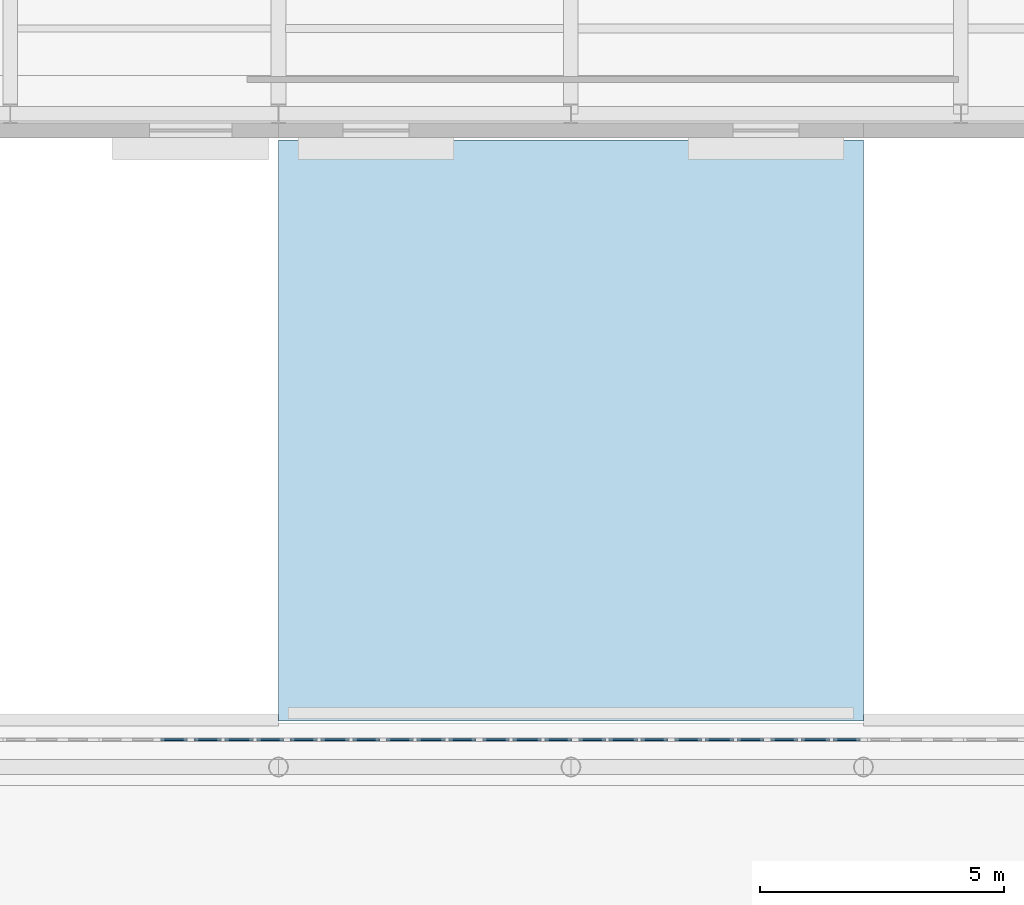
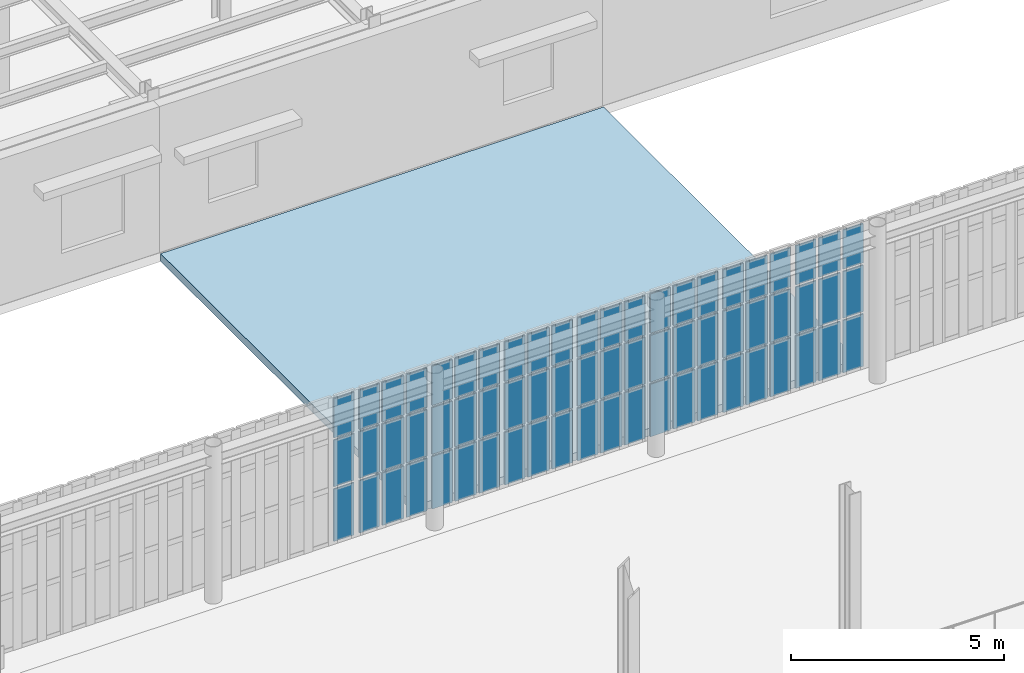
# One storey, part 54 of 91: 66 plates, 1 slab, 8 elements without a shape of their own.
"""IFC4 building model written with IfcOpenShell, lengths in metres."""

from ifc_helpers import new_model, si_unit, direction, frame, origin, origin_2d, place, context, subcontext, project, spatial, polyline, rectangle, outline, extrude, material, layer, layer_set, type_object, element, aggregate, save


model = new_model("IFC4")

# Units and contexts
model_context = context("Model", 3, precision=1e-05, world=origin(), true_north=direction((0.0, 1.0)))
body_context = subcontext(model_context, "Body", "Model", "MODEL_VIEW")
ifc_project = project(units=[si_unit("LENGTHUNIT", "METRE"), si_unit("AREAUNIT", "SQUARE_METRE"), si_unit("VOLUMEUNIT", "CUBIC_METRE"), si_unit("PLANEANGLEUNIT", "RADIAN"), si_unit("MASSUNIT", "GRAM", prefix="KILO")], contexts=[model_context])

# Site, building, storey
site_placement = place(None, origin())
site = spatial("IfcSite", under=ifc_project, at=site_placement, CompositionType="ELEMENT")
building_placement = place(site_placement, origin())
building = spatial("IfcBuilding", under=site, at=building_placement, Name="Kolvaren Corner Interchange", CompositionType="ELEMENT")
storey_placement = place(building_placement, frame((0.0, 0.0, 6.0)))
storey = spatial("IfcBuildingStorey", under=building, at=storey_placement, Name="L02", CompositionType="ELEMENT", Elevation=6.0)

# Curtain wall, plates
ifc_material_1 = material(Name="Unitised Aluminium and Solar-Control Glass Curtain Wall", Category="aluminium")
curtain_wall_type = type_object("IfcCurtainWallType", Name="CW-V1-NORTH", PredefinedType="NOTDEFINED", material=ifc_material_1)
curtain_wall_1_placement = place(storey_placement, origin())
curtain_wall_1 = element("IfcCurtainWall", 1, at=curtain_wall_1_placement, inside=storey, type_object=curtain_wall_type, Name="North Concourse Gallery Curtain Wall Bay 13", PredefinedType="NOTDEFINED")
ifc_material_2 = material(Name="Low-E Solar-Control Laminated Glass", Category="glass")
ifc_layer_1 = layer(ifc_material_2, 0.035888671875)
ifc_layer_set_1 = layer_set([ifc_layer_1], Name="Low-E Solar-Control Laminated Glass")
plate_type = type_object("IfcPlateType", Name="PLT-CW-GL32", PredefinedType="CURTAIN_PANEL", material=ifc_layer_set_1)
plate_1_placement = place(storey_placement, frame((95.654052734375, 71.659912109375, 0.06494140625), z_axis=(0.0, 0.0, 1.0), x_axis=(-1.0, 0.0, 0.0)))
plate_1 = element("IfcPlate", 2, at=plate_1_placement, type_object=plate_type, Name="CW-070 panel 1.1", PredefinedType="CURTAIN_PANEL", context=body_context, shape_type="SweptSolid", body=[
    extrude(rectangle(XDim=0.552001953125, YDim=0.035888671875, at=origin_2d()), origin(), (0.0, 0.0, 1.0), 1.50244140625),
])
plate_2_placement = place(storey_placement, frame((95.654052734375, 71.659912109375, 1.632568359375), z_axis=(0.0, 0.0, 1.0), x_axis=(-1.0, 0.0, 0.0)))
plate_2 = element("IfcPlate", 3, at=plate_2_placement, type_object=plate_type, Name="CW-070 panel 1.2", PredefinedType="CURTAIN_PANEL", context=body_context, shape_type="SweptSolid", body=[
    extrude(rectangle(XDim=0.552001953125, YDim=0.035888671875, at=origin_2d()), origin(), (0.0, 0.0, 1.0), 1.3349609375),
])
plate_3_placement = place(storey_placement, frame((95.654052734375, 71.659912109375, 3.032470703125), z_axis=(0.0, 0.0, 1.0), x_axis=(-1.0, 0.0, 0.0)))
plate_3 = element("IfcPlate", 4, at=plate_3_placement, type_object=plate_type, Name="CW-070 panel 1.3", PredefinedType="CURTAIN_PANEL", context=body_context, shape_type="SweptSolid", body=[
    extrude(rectangle(XDim=0.552001953125, YDim=0.035888671875, at=origin_2d()), origin(), (0.0, 0.0, 1.0), 1.12255859375),
])
plate_4_placement = place(storey_placement, frame((95.0146484375, 71.659912109375, 0.06494140625), z_axis=(0.0, 0.0, 1.0), x_axis=(-1.0, 0.0, 0.0)))
plate_4 = element("IfcPlate", 5, at=plate_4_placement, type_object=plate_type, Name="CW-070 panel 2.1", PredefinedType="CURTAIN_PANEL", context=body_context, shape_type="SweptSolid", body=[
    extrude(rectangle(XDim=0.5869140625, YDim=0.035888671875, at=origin_2d()), origin(), (0.0, 0.0, 1.0), 1.50244140625),
])
plate_5_placement = place(storey_placement, frame((95.0146484375, 71.659912109375, 1.632568359375), z_axis=(0.0, 0.0, 1.0), x_axis=(-1.0, 0.0, 0.0)))
plate_5 = element("IfcPlate", 6, at=plate_5_placement, type_object=plate_type, Name="CW-070 panel 2.2", PredefinedType="CURTAIN_PANEL", context=body_context, shape_type="SweptSolid", body=[
    extrude(rectangle(XDim=0.5869140625, YDim=0.035888671875, at=origin_2d()), origin(), (0.0, 0.0, 1.0), 1.3349609375),
])
plate_6_placement = place(storey_placement, frame((95.0146484375, 71.659912109375, 3.032470703125), z_axis=(0.0, 0.0, 1.0), x_axis=(-1.0, 0.0, 0.0)))
plate_6 = element("IfcPlate", 7, at=plate_6_placement, type_object=plate_type, Name="CW-070 panel 2.3", PredefinedType="CURTAIN_PANEL", context=body_context, shape_type="SweptSolid", body=[
    extrude(rectangle(XDim=0.5869140625, YDim=0.035888671875, at=origin_2d()), origin(), (0.0, 0.0, 1.0), 1.12255859375),
])
plate_7_placement = place(storey_placement, frame((94.375244140625, 71.659912109375, 0.06494140625), z_axis=(0.0, 0.0, 1.0), x_axis=(-1.0, 0.0, 0.0)))
plate_7 = element("IfcPlate", 8, at=plate_7_placement, type_object=plate_type, Name="CW-070 panel 3.1", PredefinedType="CURTAIN_PANEL", context=body_context, shape_type="SweptSolid", body=[
    extrude(rectangle(XDim=0.552001953125, YDim=0.035888671875, at=origin_2d()), origin(), (0.0, 0.0, 1.0), 1.50244140625),
])
plate_8_placement = place(storey_placement, frame((94.375244140625, 71.659912109375, 1.632568359375), z_axis=(0.0, 0.0, 1.0), x_axis=(-1.0, 0.0, 0.0)))
plate_8 = element("IfcPlate", 9, at=plate_8_placement, type_object=plate_type, Name="CW-070 panel 3.2", PredefinedType="CURTAIN_PANEL", context=body_context, shape_type="SweptSolid", body=[
    extrude(rectangle(XDim=0.552001953125, YDim=0.035888671875, at=origin_2d()), origin(), (0.0, 0.0, 1.0), 1.3349609375),
])
plate_9_placement = place(storey_placement, frame((94.375244140625, 71.659912109375, 3.032470703125), z_axis=(0.0, 0.0, 1.0), x_axis=(-1.0, 0.0, 0.0)))
plate_9 = element("IfcPlate", 10, at=plate_9_placement, type_object=plate_type, Name="CW-070 panel 3.3", PredefinedType="CURTAIN_PANEL", context=body_context, shape_type="SweptSolid", body=[
    extrude(rectangle(XDim=0.552001953125, YDim=0.035888671875, at=origin_2d()), origin(), (0.0, 0.0, 1.0), 1.12255859375),
])
aggregate(curtain_wall_1, [plate_1, plate_2, plate_3, plate_4, plate_5, plate_6, plate_7, plate_8, plate_9])

curtain_wall_2_placement = place(storey_placement, origin())
curtain_wall_2 = element("IfcCurtainWall", 11, at=curtain_wall_2_placement, inside=storey, type_object=curtain_wall_type, Name="North Concourse Gallery Curtain Wall Bay 14", PredefinedType="NOTDEFINED")
plate_10_placement = place(storey_placement, frame((93.68310546875, 71.659912109375, 0.06494140625), z_axis=(0.0, 0.0, 1.0), x_axis=(-1.0, 0.0, 0.0)))
plate_10 = element("IfcPlate", 12, at=plate_10_placement, type_object=plate_type, Name="CW-071 panel 1.1", PredefinedType="CURTAIN_PANEL", context=body_context, shape_type="SweptSolid", body=[
    extrude(rectangle(XDim=0.552001953125, YDim=0.035888671875, at=origin_2d()), origin(), (0.0, 0.0, 1.0), 1.50244140625),
])
plate_11_placement = place(storey_placement, frame((93.68310546875, 71.659912109375, 1.632568359375), z_axis=(0.0, 0.0, 1.0), x_axis=(-1.0, 0.0, 0.0)))
plate_11 = element("IfcPlate", 13, at=plate_11_placement, type_object=plate_type, Name="CW-071 panel 1.2", PredefinedType="CURTAIN_PANEL", context=body_context, shape_type="SweptSolid", body=[
    extrude(rectangle(XDim=0.552001953125, YDim=0.035888671875, at=origin_2d()), origin(), (0.0, 0.0, 1.0), 1.3349609375),
])
plate_12_placement = place(storey_placement, frame((93.68310546875, 71.659912109375, 3.032470703125), z_axis=(0.0, 0.0, 1.0), x_axis=(-1.0, 0.0, 0.0)))
plate_12 = element("IfcPlate", 14, at=plate_12_placement, type_object=plate_type, Name="CW-071 panel 1.3", PredefinedType="CURTAIN_PANEL", context=body_context, shape_type="SweptSolid", body=[
    extrude(rectangle(XDim=0.552001953125, YDim=0.035888671875, at=origin_2d()), origin(), (0.0, 0.0, 1.0), 1.12255859375),
])
plate_13_placement = place(storey_placement, frame((93.043701171875, 71.659912109375, 0.06494140625), z_axis=(0.0, 0.0, 1.0), x_axis=(-1.0, 0.0, 0.0)))
plate_13 = element("IfcPlate", 15, at=plate_13_placement, type_object=plate_type, Name="CW-071 panel 2.1", PredefinedType="CURTAIN_PANEL", context=body_context, shape_type="SweptSolid", body=[
    extrude(rectangle(XDim=0.5869140625, YDim=0.035888671875, at=origin_2d()), origin(), (0.0, 0.0, 1.0), 1.50244140625),
])
plate_14_placement = place(storey_placement, frame((93.043701171875, 71.659912109375, 1.632568359375), z_axis=(0.0, 0.0, 1.0), x_axis=(-1.0, 0.0, 0.0)))
plate_14 = element("IfcPlate", 16, at=plate_14_placement, type_object=plate_type, Name="CW-071 panel 2.2", PredefinedType="CURTAIN_PANEL", context=body_context, shape_type="SweptSolid", body=[
    extrude(rectangle(XDim=0.5869140625, YDim=0.035888671875, at=origin_2d()), origin(), (0.0, 0.0, 1.0), 1.3349609375),
])
plate_15_placement = place(storey_placement, frame((93.043701171875, 71.659912109375, 3.032470703125), z_axis=(0.0, 0.0, 1.0), x_axis=(-1.0, 0.0, 0.0)))
plate_15 = element("IfcPlate", 17, at=plate_15_placement, type_object=plate_type, Name="CW-071 panel 2.3", PredefinedType="CURTAIN_PANEL", context=body_context, shape_type="SweptSolid", body=[
    extrude(rectangle(XDim=0.5869140625, YDim=0.035888671875, at=origin_2d()), origin(), (0.0, 0.0, 1.0), 1.12255859375),
])
plate_16_placement = place(storey_placement, frame((92.404296875, 71.659912109375, 0.06494140625), z_axis=(0.0, 0.0, 1.0), x_axis=(-1.0, 0.0, 0.0)))
plate_16 = element("IfcPlate", 18, at=plate_16_placement, type_object=plate_type, Name="CW-071 panel 3.1", PredefinedType="CURTAIN_PANEL", context=body_context, shape_type="SweptSolid", body=[
    extrude(rectangle(XDim=0.552001953125, YDim=0.035888671875, at=origin_2d()), origin(), (0.0, 0.0, 1.0), 1.50244140625),
])
plate_17_placement = place(storey_placement, frame((92.404296875, 71.659912109375, 1.632568359375), z_axis=(0.0, 0.0, 1.0), x_axis=(-1.0, 0.0, 0.0)))
plate_17 = element("IfcPlate", 19, at=plate_17_placement, type_object=plate_type, Name="CW-071 panel 3.2", PredefinedType="CURTAIN_PANEL", context=body_context, shape_type="SweptSolid", body=[
    extrude(rectangle(XDim=0.552001953125, YDim=0.035888671875, at=origin_2d()), origin(), (0.0, 0.0, 1.0), 1.3349609375),
])
plate_18_placement = place(storey_placement, frame((92.404296875, 71.659912109375, 3.032470703125), z_axis=(0.0, 0.0, 1.0), x_axis=(-1.0, 0.0, 0.0)))
plate_18 = element("IfcPlate", 20, at=plate_18_placement, type_object=plate_type, Name="CW-071 panel 3.3", PredefinedType="CURTAIN_PANEL", context=body_context, shape_type="SweptSolid", body=[
    extrude(rectangle(XDim=0.552001953125, YDim=0.035888671875, at=origin_2d()), origin(), (0.0, 0.0, 1.0), 1.12255859375),
])
aggregate(curtain_wall_2, [plate_10, plate_11, plate_12, plate_13, plate_14, plate_15, plate_16, plate_17, plate_18])

curtain_wall_3_placement = place(storey_placement, origin())
curtain_wall_3 = element("IfcCurtainWall", 21, at=curtain_wall_3_placement, inside=storey, type_object=curtain_wall_type, Name="North Concourse Gallery Curtain Wall Bay 15", PredefinedType="NOTDEFINED")
plate_19_placement = place(storey_placement, frame((91.71240234375, 71.659912109375, 0.06494140625), z_axis=(0.0, 0.0, 1.0), x_axis=(-1.0, 0.0, 0.0)))
plate_19 = element("IfcPlate", 22, at=plate_19_placement, type_object=plate_type, Name="CW-072 panel 1.1", PredefinedType="CURTAIN_PANEL", context=body_context, shape_type="SweptSolid", body=[
    extrude(rectangle(XDim=0.552001953125, YDim=0.035888671875, at=origin_2d()), origin(), (0.0, 0.0, 1.0), 1.50244140625),
])
plate_20_placement = place(storey_placement, frame((91.71240234375, 71.659912109375, 1.632568359375), z_axis=(0.0, 0.0, 1.0), x_axis=(-1.0, 0.0, 0.0)))
plate_20 = element("IfcPlate", 23, at=plate_20_placement, type_object=plate_type, Name="CW-072 panel 1.2", PredefinedType="CURTAIN_PANEL", context=body_context, shape_type="SweptSolid", body=[
    extrude(rectangle(XDim=0.552001953125, YDim=0.035888671875, at=origin_2d()), origin(), (0.0, 0.0, 1.0), 1.3349609375),
])
plate_21_placement = place(storey_placement, frame((91.71240234375, 71.659912109375, 3.032470703125), z_axis=(0.0, 0.0, 1.0), x_axis=(-1.0, 0.0, 0.0)))
plate_21 = element("IfcPlate", 24, at=plate_21_placement, type_object=plate_type, Name="CW-072 panel 1.3", PredefinedType="CURTAIN_PANEL", context=body_context, shape_type="SweptSolid", body=[
    extrude(rectangle(XDim=0.552001953125, YDim=0.035888671875, at=origin_2d()), origin(), (0.0, 0.0, 1.0), 1.12255859375),
])
plate_22_placement = place(storey_placement, frame((91.072998046875, 71.659912109375, 0.06494140625), z_axis=(0.0, 0.0, 1.0), x_axis=(-1.0, 0.0, 0.0)))
plate_22 = element("IfcPlate", 25, at=plate_22_placement, type_object=plate_type, Name="CW-072 panel 2.1", PredefinedType="CURTAIN_PANEL", context=body_context, shape_type="SweptSolid", body=[
    extrude(rectangle(XDim=0.5869140625, YDim=0.035888671875, at=origin_2d()), origin(), (0.0, 0.0, 1.0), 1.50244140625),
])
plate_23_placement = place(storey_placement, frame((91.072998046875, 71.659912109375, 1.632568359375), z_axis=(0.0, 0.0, 1.0), x_axis=(-1.0, 0.0, 0.0)))
plate_23 = element("IfcPlate", 26, at=plate_23_placement, type_object=plate_type, Name="CW-072 panel 2.2", PredefinedType="CURTAIN_PANEL", context=body_context, shape_type="SweptSolid", body=[
    extrude(rectangle(XDim=0.5869140625, YDim=0.035888671875, at=origin_2d()), origin(), (0.0, 0.0, 1.0), 1.3349609375),
])
plate_24_placement = place(storey_placement, frame((91.072998046875, 71.659912109375, 3.032470703125), z_axis=(0.0, 0.0, 1.0), x_axis=(-1.0, 0.0, 0.0)))
plate_24 = element("IfcPlate", 27, at=plate_24_placement, type_object=plate_type, Name="CW-072 panel 2.3", PredefinedType="CURTAIN_PANEL", context=body_context, shape_type="SweptSolid", body=[
    extrude(rectangle(XDim=0.5869140625, YDim=0.035888671875, at=origin_2d()), origin(), (0.0, 0.0, 1.0), 1.12255859375),
])
plate_25_placement = place(storey_placement, frame((90.433349609375, 71.659912109375, 0.06494140625), z_axis=(0.0, 0.0, 1.0), x_axis=(-1.0, 0.0, 0.0)))
plate_25 = element("IfcPlate", 28, at=plate_25_placement, type_object=plate_type, Name="CW-072 panel 3.1", PredefinedType="CURTAIN_PANEL", context=body_context, shape_type="SweptSolid", body=[
    extrude(rectangle(XDim=0.552001953125, YDim=0.035888671875, at=origin_2d()), origin(), (0.0, 0.0, 1.0), 1.50244140625),
])
plate_26_placement = place(storey_placement, frame((90.433349609375, 71.659912109375, 1.632568359375), z_axis=(0.0, 0.0, 1.0), x_axis=(-1.0, 0.0, 0.0)))
plate_26 = element("IfcPlate", 29, at=plate_26_placement, type_object=plate_type, Name="CW-072 panel 3.2", PredefinedType="CURTAIN_PANEL", context=body_context, shape_type="SweptSolid", body=[
    extrude(rectangle(XDim=0.552001953125, YDim=0.035888671875, at=origin_2d()), origin(), (0.0, 0.0, 1.0), 1.3349609375),
])
plate_27_placement = place(storey_placement, frame((90.433349609375, 71.659912109375, 3.032470703125), z_axis=(0.0, 0.0, 1.0), x_axis=(-1.0, 0.0, 0.0)))
plate_27 = element("IfcPlate", 30, at=plate_27_placement, type_object=plate_type, Name="CW-072 panel 3.3", PredefinedType="CURTAIN_PANEL", context=body_context, shape_type="SweptSolid", body=[
    extrude(rectangle(XDim=0.552001953125, YDim=0.035888671875, at=origin_2d()), origin(), (0.0, 0.0, 1.0), 1.12255859375),
])
aggregate(curtain_wall_3, [plate_19, plate_20, plate_21, plate_22, plate_23, plate_24, plate_25, plate_26, plate_27])

curtain_wall_4_placement = place(storey_placement, origin())
curtain_wall_4 = element("IfcCurtainWall", 31, at=curtain_wall_4_placement, inside=storey, type_object=curtain_wall_type, Name="North Concourse Gallery Curtain Wall Bay 16", PredefinedType="NOTDEFINED")
plate_28_placement = place(storey_placement, frame((89.741455078125, 71.659912109375, 0.06494140625), z_axis=(0.0, 0.0, 1.0), x_axis=(-1.0, 0.0, 0.0)))
plate_28 = element("IfcPlate", 32, at=plate_28_placement, type_object=plate_type, Name="CW-073 panel 1.1", PredefinedType="CURTAIN_PANEL", context=body_context, shape_type="SweptSolid", body=[
    extrude(rectangle(XDim=0.552001953125, YDim=0.035888671875, at=origin_2d()), origin(), (0.0, 0.0, 1.0), 1.50244140625),
])
plate_29_placement = place(storey_placement, frame((89.741455078125, 71.659912109375, 1.632568359375), z_axis=(0.0, 0.0, 1.0), x_axis=(-1.0, 0.0, 0.0)))
plate_29 = element("IfcPlate", 33, at=plate_29_placement, type_object=plate_type, Name="CW-073 panel 1.2", PredefinedType="CURTAIN_PANEL", context=body_context, shape_type="SweptSolid", body=[
    extrude(rectangle(XDim=0.552001953125, YDim=0.035888671875, at=origin_2d()), origin(), (0.0, 0.0, 1.0), 1.3349609375),
])
plate_30_placement = place(storey_placement, frame((89.741455078125, 71.659912109375, 3.032470703125), z_axis=(0.0, 0.0, 1.0), x_axis=(-1.0, 0.0, 0.0)))
plate_30 = element("IfcPlate", 34, at=plate_30_placement, type_object=plate_type, Name="CW-073 panel 1.3", PredefinedType="CURTAIN_PANEL", context=body_context, shape_type="SweptSolid", body=[
    extrude(rectangle(XDim=0.552001953125, YDim=0.035888671875, at=origin_2d()), origin(), (0.0, 0.0, 1.0), 1.12255859375),
])
plate_31_placement = place(storey_placement, frame((89.10205078125, 71.659912109375, 0.06494140625), z_axis=(0.0, 0.0, 1.0), x_axis=(-1.0, 0.0, 0.0)))
plate_31 = element("IfcPlate", 35, at=plate_31_placement, type_object=plate_type, Name="CW-073 panel 2.1", PredefinedType="CURTAIN_PANEL", context=body_context, shape_type="SweptSolid", body=[
    extrude(rectangle(XDim=0.5869140625, YDim=0.035888671875, at=origin_2d()), origin(), (0.0, 0.0, 1.0), 1.50244140625),
])
plate_32_placement = place(storey_placement, frame((89.10205078125, 71.659912109375, 1.632568359375), z_axis=(0.0, 0.0, 1.0), x_axis=(-1.0, 0.0, 0.0)))
plate_32 = element("IfcPlate", 36, at=plate_32_placement, type_object=plate_type, Name="CW-073 panel 2.2", PredefinedType="CURTAIN_PANEL", context=body_context, shape_type="SweptSolid", body=[
    extrude(rectangle(XDim=0.5869140625, YDim=0.035888671875, at=origin_2d()), origin(), (0.0, 0.0, 1.0), 1.3349609375),
])
plate_33_placement = place(storey_placement, frame((89.10205078125, 71.659912109375, 3.032470703125), z_axis=(0.0, 0.0, 1.0), x_axis=(-1.0, 0.0, 0.0)))
plate_33 = element("IfcPlate", 37, at=plate_33_placement, type_object=plate_type, Name="CW-073 panel 2.3", PredefinedType="CURTAIN_PANEL", context=body_context, shape_type="SweptSolid", body=[
    extrude(rectangle(XDim=0.5869140625, YDim=0.035888671875, at=origin_2d()), origin(), (0.0, 0.0, 1.0), 1.12255859375),
])
plate_34_placement = place(storey_placement, frame((88.462646484375, 71.659912109375, 0.06494140625), z_axis=(0.0, 0.0, 1.0), x_axis=(-1.0, 0.0, 0.0)))
plate_34 = element("IfcPlate", 38, at=plate_34_placement, type_object=plate_type, Name="CW-073 panel 3.1", PredefinedType="CURTAIN_PANEL", context=body_context, shape_type="SweptSolid", body=[
    extrude(rectangle(XDim=0.552001953125, YDim=0.035888671875, at=origin_2d()), origin(), (0.0, 0.0, 1.0), 1.50244140625),
])
plate_35_placement = place(storey_placement, frame((88.462646484375, 71.659912109375, 1.632568359375), z_axis=(0.0, 0.0, 1.0), x_axis=(-1.0, 0.0, 0.0)))
plate_35 = element("IfcPlate", 39, at=plate_35_placement, type_object=plate_type, Name="CW-073 panel 3.2", PredefinedType="CURTAIN_PANEL", context=body_context, shape_type="SweptSolid", body=[
    extrude(rectangle(XDim=0.552001953125, YDim=0.035888671875, at=origin_2d()), origin(), (0.0, 0.0, 1.0), 1.3349609375),
])
plate_36_placement = place(storey_placement, frame((88.462646484375, 71.659912109375, 3.032470703125), z_axis=(0.0, 0.0, 1.0), x_axis=(-1.0, 0.0, 0.0)))
plate_36 = element("IfcPlate", 40, at=plate_36_placement, type_object=plate_type, Name="CW-073 panel 3.3", PredefinedType="CURTAIN_PANEL", context=body_context, shape_type="SweptSolid", body=[
    extrude(rectangle(XDim=0.552001953125, YDim=0.035888671875, at=origin_2d()), origin(), (0.0, 0.0, 1.0), 1.12255859375),
])
aggregate(curtain_wall_4, [plate_28, plate_29, plate_30, plate_31, plate_32, plate_33, plate_34, plate_35, plate_36])

curtain_wall_5_placement = place(storey_placement, origin())
curtain_wall_5 = element("IfcCurtainWall", 41, at=curtain_wall_5_placement, inside=storey, type_object=curtain_wall_type, Name="North Concourse Gallery Curtain Wall Bay 17", PredefinedType="NOTDEFINED")
plate_37_placement = place(storey_placement, frame((87.770751953125, 71.659912109375, 0.06494140625), z_axis=(0.0, 0.0, 1.0), x_axis=(-1.0, 0.0, 0.0)))
plate_37 = element("IfcPlate", 42, at=plate_37_placement, type_object=plate_type, Name="CW-074 panel 1.1", PredefinedType="CURTAIN_PANEL", context=body_context, shape_type="SweptSolid", body=[
    extrude(rectangle(XDim=0.552001953125, YDim=0.035888671875, at=origin_2d()), origin(), (0.0, 0.0, 1.0), 1.50244140625),
])
plate_38_placement = place(storey_placement, frame((87.770751953125, 71.659912109375, 1.632568359375), z_axis=(0.0, 0.0, 1.0), x_axis=(-1.0, 0.0, 0.0)))
plate_38 = element("IfcPlate", 43, at=plate_38_placement, type_object=plate_type, Name="CW-074 panel 1.2", PredefinedType="CURTAIN_PANEL", context=body_context, shape_type="SweptSolid", body=[
    extrude(rectangle(XDim=0.552001953125, YDim=0.035888671875, at=origin_2d()), origin(), (0.0, 0.0, 1.0), 1.3349609375),
])
plate_39_placement = place(storey_placement, frame((87.770751953125, 71.659912109375, 3.032470703125), z_axis=(0.0, 0.0, 1.0), x_axis=(-1.0, 0.0, 0.0)))
plate_39 = element("IfcPlate", 44, at=plate_39_placement, type_object=plate_type, Name="CW-074 panel 1.3", PredefinedType="CURTAIN_PANEL", context=body_context, shape_type="SweptSolid", body=[
    extrude(rectangle(XDim=0.552001953125, YDim=0.035888671875, at=origin_2d()), origin(), (0.0, 0.0, 1.0), 1.12255859375),
])
plate_40_placement = place(storey_placement, frame((87.13134765625, 71.659912109375, 0.06494140625), z_axis=(0.0, 0.0, 1.0), x_axis=(-1.0, 0.0, 0.0)))
plate_40 = element("IfcPlate", 45, at=plate_40_placement, type_object=plate_type, Name="CW-074 panel 2.1", PredefinedType="CURTAIN_PANEL", context=body_context, shape_type="SweptSolid", body=[
    extrude(rectangle(XDim=0.5869140625, YDim=0.035888671875, at=origin_2d()), origin(), (0.0, 0.0, 1.0), 1.50244140625),
])
plate_41_placement = place(storey_placement, frame((87.13134765625, 71.659912109375, 1.632568359375), z_axis=(0.0, 0.0, 1.0), x_axis=(-1.0, 0.0, 0.0)))
plate_41 = element("IfcPlate", 46, at=plate_41_placement, type_object=plate_type, Name="CW-074 panel 2.2", PredefinedType="CURTAIN_PANEL", context=body_context, shape_type="SweptSolid", body=[
    extrude(rectangle(XDim=0.5869140625, YDim=0.035888671875, at=origin_2d()), origin(), (0.0, 0.0, 1.0), 1.3349609375),
])
plate_42_placement = place(storey_placement, frame((87.13134765625, 71.659912109375, 3.032470703125), z_axis=(0.0, 0.0, 1.0), x_axis=(-1.0, 0.0, 0.0)))
plate_42 = element("IfcPlate", 47, at=plate_42_placement, type_object=plate_type, Name="CW-074 panel 2.3", PredefinedType="CURTAIN_PANEL", context=body_context, shape_type="SweptSolid", body=[
    extrude(rectangle(XDim=0.5869140625, YDim=0.035888671875, at=origin_2d()), origin(), (0.0, 0.0, 1.0), 1.12255859375),
])
plate_43_placement = place(storey_placement, frame((86.49169921875, 71.659912109375, 0.06494140625), z_axis=(0.0, 0.0, 1.0), x_axis=(-1.0, 0.0, 0.0)))
plate_43 = element("IfcPlate", 48, at=plate_43_placement, type_object=plate_type, Name="CW-074 panel 3.1", PredefinedType="CURTAIN_PANEL", context=body_context, shape_type="SweptSolid", body=[
    extrude(rectangle(XDim=0.552001953125, YDim=0.035888671875, at=origin_2d()), origin(), (0.0, 0.0, 1.0), 1.50244140625),
])
plate_44_placement = place(storey_placement, frame((86.49169921875, 71.659912109375, 1.632568359375), z_axis=(0.0, 0.0, 1.0), x_axis=(-1.0, 0.0, 0.0)))
plate_44 = element("IfcPlate", 49, at=plate_44_placement, type_object=plate_type, Name="CW-074 panel 3.2", PredefinedType="CURTAIN_PANEL", context=body_context, shape_type="SweptSolid", body=[
    extrude(rectangle(XDim=0.552001953125, YDim=0.035888671875, at=origin_2d()), origin(), (0.0, 0.0, 1.0), 1.3349609375),
])
plate_45_placement = place(storey_placement, frame((86.49169921875, 71.659912109375, 3.032470703125), z_axis=(0.0, 0.0, 1.0), x_axis=(-1.0, 0.0, 0.0)))
plate_45 = element("IfcPlate", 50, at=plate_45_placement, type_object=plate_type, Name="CW-074 panel 3.3", PredefinedType="CURTAIN_PANEL", context=body_context, shape_type="SweptSolid", body=[
    extrude(rectangle(XDim=0.552001953125, YDim=0.035888671875, at=origin_2d()), origin(), (0.0, 0.0, 1.0), 1.12255859375),
])
aggregate(curtain_wall_5, [plate_37, plate_38, plate_39, plate_40, plate_41, plate_42, plate_43, plate_44, plate_45])

curtain_wall_6_placement = place(storey_placement, origin())
curtain_wall_6 = element("IfcCurtainWall", 51, at=curtain_wall_6_placement, inside=storey, type_object=curtain_wall_type, Name="North Concourse Gallery Curtain Wall Bay 18", PredefinedType="NOTDEFINED")
plate_46_placement = place(storey_placement, frame((85.7998046875, 71.659912109375, 0.06494140625), z_axis=(0.0, 0.0, 1.0), x_axis=(-1.0, 0.0, 0.0)))
plate_46 = element("IfcPlate", 52, at=plate_46_placement, type_object=plate_type, Name="CW-075 panel 1.1", PredefinedType="CURTAIN_PANEL", context=body_context, shape_type="SweptSolid", body=[
    extrude(rectangle(XDim=0.552001953125, YDim=0.035888671875, at=origin_2d()), origin(), (0.0, 0.0, 1.0), 1.50244140625),
])
plate_47_placement = place(storey_placement, frame((85.7998046875, 71.659912109375, 1.632568359375), z_axis=(0.0, 0.0, 1.0), x_axis=(-1.0, 0.0, 0.0)))
plate_47 = element("IfcPlate", 53, at=plate_47_placement, type_object=plate_type, Name="CW-075 panel 1.2", PredefinedType="CURTAIN_PANEL", context=body_context, shape_type="SweptSolid", body=[
    extrude(rectangle(XDim=0.552001953125, YDim=0.035888671875, at=origin_2d()), origin(), (0.0, 0.0, 1.0), 1.3349609375),
])
plate_48_placement = place(storey_placement, frame((85.7998046875, 71.659912109375, 3.032470703125), z_axis=(0.0, 0.0, 1.0), x_axis=(-1.0, 0.0, 0.0)))
plate_48 = element("IfcPlate", 54, at=plate_48_placement, type_object=plate_type, Name="CW-075 panel 1.3", PredefinedType="CURTAIN_PANEL", context=body_context, shape_type="SweptSolid", body=[
    extrude(rectangle(XDim=0.552001953125, YDim=0.035888671875, at=origin_2d()), origin(), (0.0, 0.0, 1.0), 1.12255859375),
])
plate_49_placement = place(storey_placement, frame((85.160400390625, 71.659912109375, 0.06494140625), z_axis=(0.0, 0.0, 1.0), x_axis=(-1.0, 0.0, 0.0)))
plate_49 = element("IfcPlate", 55, at=plate_49_placement, type_object=plate_type, Name="CW-075 panel 2.1", PredefinedType="CURTAIN_PANEL", context=body_context, shape_type="SweptSolid", body=[
    extrude(rectangle(XDim=0.5869140625, YDim=0.035888671875, at=origin_2d()), origin(), (0.0, 0.0, 1.0), 1.50244140625),
])
plate_50_placement = place(storey_placement, frame((85.160400390625, 71.659912109375, 1.632568359375), z_axis=(0.0, 0.0, 1.0), x_axis=(-1.0, 0.0, 0.0)))
plate_50 = element("IfcPlate", 56, at=plate_50_placement, type_object=plate_type, Name="CW-075 panel 2.2", PredefinedType="CURTAIN_PANEL", context=body_context, shape_type="SweptSolid", body=[
    extrude(rectangle(XDim=0.5869140625, YDim=0.035888671875, at=origin_2d()), origin(), (0.0, 0.0, 1.0), 1.3349609375),
])
plate_51_placement = place(storey_placement, frame((85.160400390625, 71.659912109375, 3.032470703125), z_axis=(0.0, 0.0, 1.0), x_axis=(-1.0, 0.0, 0.0)))
plate_51 = element("IfcPlate", 57, at=plate_51_placement, type_object=plate_type, Name="CW-075 panel 2.3", PredefinedType="CURTAIN_PANEL", context=body_context, shape_type="SweptSolid", body=[
    extrude(rectangle(XDim=0.5869140625, YDim=0.035888671875, at=origin_2d()), origin(), (0.0, 0.0, 1.0), 1.12255859375),
])
plate_52_placement = place(storey_placement, frame((84.52099609375, 71.659912109375, 0.06494140625), z_axis=(0.0, 0.0, 1.0), x_axis=(-1.0, 0.0, 0.0)))
plate_52 = element("IfcPlate", 58, at=plate_52_placement, type_object=plate_type, Name="CW-075 panel 3.1", PredefinedType="CURTAIN_PANEL", context=body_context, shape_type="SweptSolid", body=[
    extrude(rectangle(XDim=0.552001953125, YDim=0.035888671875, at=origin_2d()), origin(), (0.0, 0.0, 1.0), 1.50244140625),
])
plate_53_placement = place(storey_placement, frame((84.52099609375, 71.659912109375, 1.632568359375), z_axis=(0.0, 0.0, 1.0), x_axis=(-1.0, 0.0, 0.0)))
plate_53 = element("IfcPlate", 59, at=plate_53_placement, type_object=plate_type, Name="CW-075 panel 3.2", PredefinedType="CURTAIN_PANEL", context=body_context, shape_type="SweptSolid", body=[
    extrude(rectangle(XDim=0.552001953125, YDim=0.035888671875, at=origin_2d()), origin(), (0.0, 0.0, 1.0), 1.3349609375),
])
plate_54_placement = place(storey_placement, frame((84.52099609375, 71.659912109375, 3.032470703125), z_axis=(0.0, 0.0, 1.0), x_axis=(-1.0, 0.0, 0.0)))
plate_54 = element("IfcPlate", 60, at=plate_54_placement, type_object=plate_type, Name="CW-075 panel 3.3", PredefinedType="CURTAIN_PANEL", context=body_context, shape_type="SweptSolid", body=[
    extrude(rectangle(XDim=0.552001953125, YDim=0.035888671875, at=origin_2d()), origin(), (0.0, 0.0, 1.0), 1.12255859375),
])
aggregate(curtain_wall_6, [plate_46, plate_47, plate_48, plate_49, plate_50, plate_51, plate_52, plate_53, plate_54])

curtain_wall_7_placement = place(storey_placement, origin())
curtain_wall_7 = element("IfcCurtainWall", 61, at=curtain_wall_7_placement, inside=storey, type_object=curtain_wall_type, Name="North Concourse Gallery Curtain Wall Bay 19", PredefinedType="NOTDEFINED")
plate_55_placement = place(storey_placement, frame((83.8291015625, 71.659912109375, 0.06494140625), z_axis=(0.0, 0.0, 1.0), x_axis=(-1.0, 0.0, 0.0)))
plate_55 = element("IfcPlate", 62, at=plate_55_placement, type_object=plate_type, Name="CW-076 panel 1.1", PredefinedType="CURTAIN_PANEL", context=body_context, shape_type="SweptSolid", body=[
    extrude(rectangle(XDim=0.552001953125, YDim=0.035888671875, at=origin_2d()), origin(), (0.0, 0.0, 1.0), 1.50244140625),
])
plate_56_placement = place(storey_placement, frame((83.8291015625, 71.659912109375, 1.632568359375), z_axis=(0.0, 0.0, 1.0), x_axis=(-1.0, 0.0, 0.0)))
plate_56 = element("IfcPlate", 63, at=plate_56_placement, type_object=plate_type, Name="CW-076 panel 1.2", PredefinedType="CURTAIN_PANEL", context=body_context, shape_type="SweptSolid", body=[
    extrude(rectangle(XDim=0.552001953125, YDim=0.035888671875, at=origin_2d()), origin(), (0.0, 0.0, 1.0), 1.3349609375),
])
plate_57_placement = place(storey_placement, frame((83.8291015625, 71.659912109375, 3.032470703125), z_axis=(0.0, 0.0, 1.0), x_axis=(-1.0, 0.0, 0.0)))
plate_57 = element("IfcPlate", 64, at=plate_57_placement, type_object=plate_type, Name="CW-076 panel 1.3", PredefinedType="CURTAIN_PANEL", context=body_context, shape_type="SweptSolid", body=[
    extrude(rectangle(XDim=0.552001953125, YDim=0.035888671875, at=origin_2d()), origin(), (0.0, 0.0, 1.0), 1.12255859375),
])
plate_58_placement = place(storey_placement, frame((83.189697265625, 71.659912109375, 0.06494140625), z_axis=(0.0, 0.0, 1.0), x_axis=(-1.0, 0.0, 0.0)))
plate_58 = element("IfcPlate", 65, at=plate_58_placement, type_object=plate_type, Name="CW-076 panel 2.1", PredefinedType="CURTAIN_PANEL", context=body_context, shape_type="SweptSolid", body=[
    extrude(rectangle(XDim=0.5869140625, YDim=0.035888671875, at=origin_2d()), origin(), (0.0, 0.0, 1.0), 1.50244140625),
])
plate_59_placement = place(storey_placement, frame((83.189697265625, 71.659912109375, 1.632568359375), z_axis=(0.0, 0.0, 1.0), x_axis=(-1.0, 0.0, 0.0)))
plate_59 = element("IfcPlate", 66, at=plate_59_placement, type_object=plate_type, Name="CW-076 panel 2.2", PredefinedType="CURTAIN_PANEL", context=body_context, shape_type="SweptSolid", body=[
    extrude(rectangle(XDim=0.5869140625, YDim=0.035888671875, at=origin_2d()), origin(), (0.0, 0.0, 1.0), 1.3349609375),
])
plate_60_placement = place(storey_placement, frame((83.189697265625, 71.659912109375, 3.032470703125), z_axis=(0.0, 0.0, 1.0), x_axis=(-1.0, 0.0, 0.0)))
plate_60 = element("IfcPlate", 67, at=plate_60_placement, type_object=plate_type, Name="CW-076 panel 2.3", PredefinedType="CURTAIN_PANEL", context=body_context, shape_type="SweptSolid", body=[
    extrude(rectangle(XDim=0.5869140625, YDim=0.035888671875, at=origin_2d()), origin(), (0.0, 0.0, 1.0), 1.12255859375),
])
plate_61_placement = place(storey_placement, frame((82.550048828125, 71.659912109375, 0.06494140625), z_axis=(0.0, 0.0, 1.0), x_axis=(-1.0, 0.0, 0.0)))
plate_61 = element("IfcPlate", 68, at=plate_61_placement, type_object=plate_type, Name="CW-076 panel 3.1", PredefinedType="CURTAIN_PANEL", context=body_context, shape_type="SweptSolid", body=[
    extrude(rectangle(XDim=0.552001953125, YDim=0.035888671875, at=origin_2d()), origin(), (0.0, 0.0, 1.0), 1.50244140625),
])
plate_62_placement = place(storey_placement, frame((82.550048828125, 71.659912109375, 1.632568359375), z_axis=(0.0, 0.0, 1.0), x_axis=(-1.0, 0.0, 0.0)))
plate_62 = element("IfcPlate", 69, at=plate_62_placement, type_object=plate_type, Name="CW-076 panel 3.2", PredefinedType="CURTAIN_PANEL", context=body_context, shape_type="SweptSolid", body=[
    extrude(rectangle(XDim=0.552001953125, YDim=0.035888671875, at=origin_2d()), origin(), (0.0, 0.0, 1.0), 1.3349609375),
])
plate_63_placement = place(storey_placement, frame((82.550048828125, 71.659912109375, 3.032470703125), z_axis=(0.0, 0.0, 1.0), x_axis=(-1.0, 0.0, 0.0)))
plate_63 = element("IfcPlate", 70, at=plate_63_placement, type_object=plate_type, Name="CW-076 panel 3.3", PredefinedType="CURTAIN_PANEL", context=body_context, shape_type="SweptSolid", body=[
    extrude(rectangle(XDim=0.552001953125, YDim=0.035888671875, at=origin_2d()), origin(), (0.0, 0.0, 1.0), 1.12255859375),
])
aggregate(curtain_wall_7, [plate_55, plate_56, plate_57, plate_58, plate_59, plate_60, plate_61, plate_62, plate_63])

curtain_wall_8_placement = place(storey_placement, origin())
curtain_wall_8 = element("IfcCurtainWall", 71, at=curtain_wall_8_placement, inside=storey, type_object=curtain_wall_type, Name="North Concourse Gallery Curtain Wall Bay 20", PredefinedType="NOTDEFINED")
plate_64_placement = place(storey_placement, frame((81.858154296875, 71.659912109375, 0.06494140625), z_axis=(0.0, 0.0, 1.0), x_axis=(-1.0, 0.0, 0.0)))
plate_64 = element("IfcPlate", 72, at=plate_64_placement, type_object=plate_type, Name="CW-077 panel 1.1", PredefinedType="CURTAIN_PANEL", context=body_context, shape_type="SweptSolid", body=[
    extrude(rectangle(XDim=0.552001953125, YDim=0.035888671875, at=origin_2d()), origin(), (0.0, 0.0, 1.0), 1.50244140625),
])
plate_65_placement = place(storey_placement, frame((81.858154296875, 71.659912109375, 1.632568359375), z_axis=(0.0, 0.0, 1.0), x_axis=(-1.0, 0.0, 0.0)))
plate_65 = element("IfcPlate", 73, at=plate_65_placement, type_object=plate_type, Name="CW-077 panel 1.2", PredefinedType="CURTAIN_PANEL", context=body_context, shape_type="SweptSolid", body=[
    extrude(rectangle(XDim=0.552001953125, YDim=0.035888671875, at=origin_2d()), origin(), (0.0, 0.0, 1.0), 1.3349609375),
])
plate_66_placement = place(storey_placement, frame((81.858154296875, 71.659912109375, 3.032470703125), z_axis=(0.0, 0.0, 1.0), x_axis=(-1.0, 0.0, 0.0)))
plate_66 = element("IfcPlate", 74, at=plate_66_placement, type_object=plate_type, Name="CW-077 panel 1.3", PredefinedType="CURTAIN_PANEL", context=body_context, shape_type="SweptSolid", body=[
    extrude(rectangle(XDim=0.552001953125, YDim=0.035888671875, at=origin_2d()), origin(), (0.0, 0.0, 1.0), 1.12255859375),
])
aggregate(curtain_wall_8, [plate_64, plate_65, plate_66])

# Slab
ifc_material_3 = material(Name="Concrete C35/45", Category="concrete")
ifc_layer_2 = layer(ifc_material_3, 0.219970703125)
ifc_layer_set_2 = layer_set([ifc_layer_2], Name="Concrete C35/45")
slab_type = type_object("IfcSlabType", Name="SL-ROOF-220", PredefinedType="ROOF", material=ifc_layer_set_2)
slab_placement = place(storey_placement, frame((0.0, 0.0, -0.219970703125)))
element("IfcSlab", 75, at=slab_placement, inside=storey, type_object=slab_type, Name="Cycle Concourse Link Roof Slab", PredefinedType="ROOF", context=body_context, shape_type="SweptSolid", body=[
    extrude(outline(polyline([(84.0, 72.0400390625), (96.0, 72.0400390625), (96.0, 83.9599609375), (84.0, 83.9599609375), (84.0, 72.0400390625)])), origin(), (0.0, 0.0, 1.0), 0.219970703125),
])

save(model, "model.ifc")
